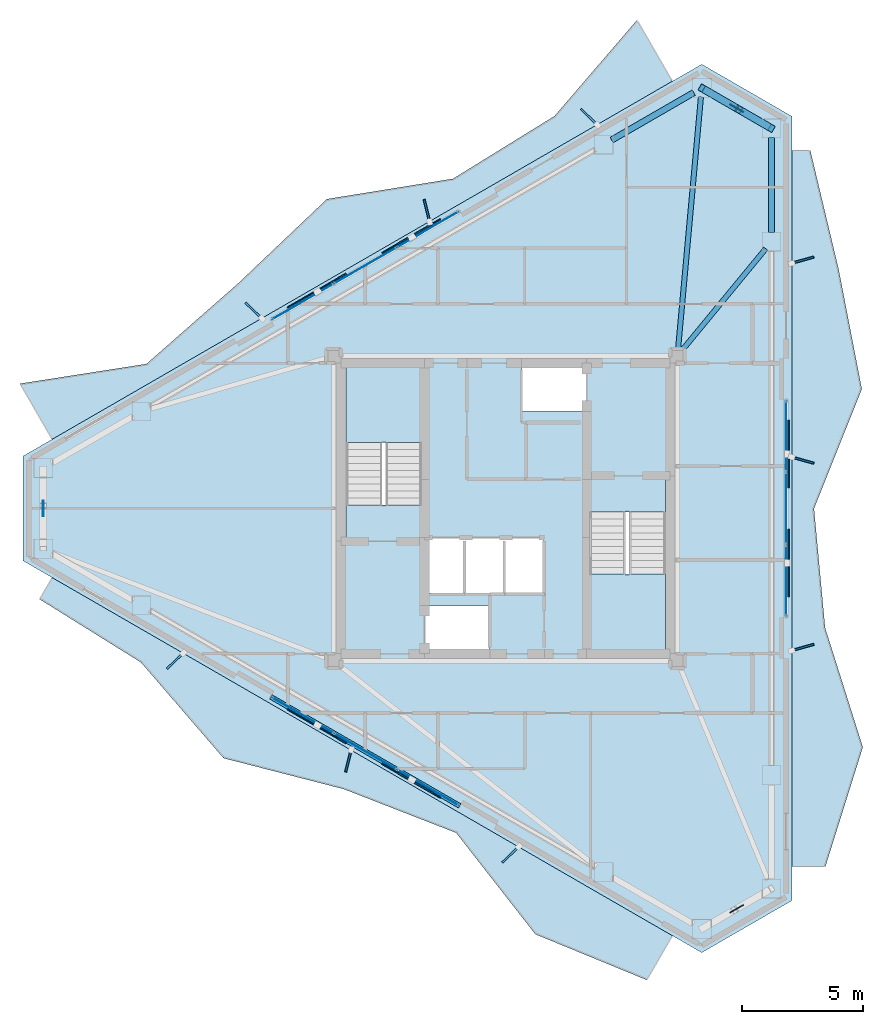
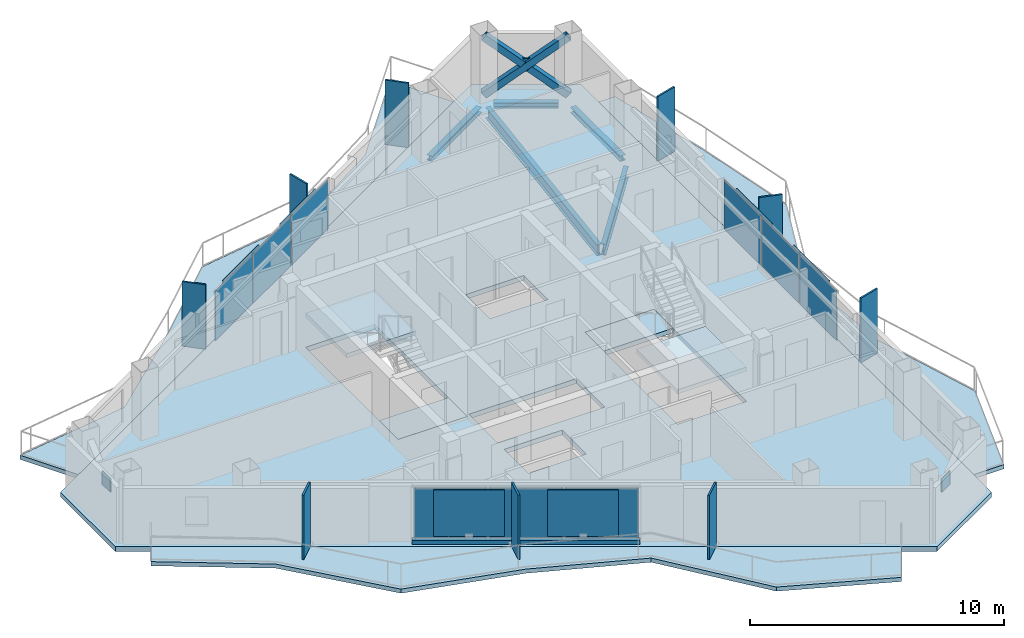
# One storey, part 15 of 21: 27 plates, 8 slabs, 5 beams, 3 members, 1 wall, 5 elements without a shape of their own.
"""IFC4 building model written with IfcOpenShell, lengths in metres."""

from ifc_helpers import new_model, si_unit, direction, frame, frame_2d, origin, origin_2d, place, context, subcontext, project, spatial, polyline, rectangle, hollow_rectangle, i_section, outline, extrude, material, layer, layer_set, material_profile, profile_set, type_object, element, aggregate, save


model = new_model("IFC4")

# Units and contexts
model_context = context("Model", 3, precision=1e-05, world=origin(), true_north=direction((0.0, 1.0)))
body_context = subcontext(model_context, "Body", "Model", "MODEL_VIEW")
ifc_project = project(units=[si_unit("LENGTHUNIT", "METRE"), si_unit("AREAUNIT", "SQUARE_METRE"), si_unit("VOLUMEUNIT", "CUBIC_METRE"), si_unit("PLANEANGLEUNIT", "RADIAN"), si_unit("MASSUNIT", "GRAM", prefix="KILO")], contexts=[model_context])

# Site, building, storey
site_placement = place(None, origin())
site = spatial("IfcSite", under=ifc_project, at=site_placement, CompositionType="ELEMENT")
building_placement = place(site_placement, origin())
building = spatial("IfcBuilding", under=site, at=building_placement, Name="Mersakhor Tower and Convention Hall", CompositionType="ELEMENT")
storey_placement = place(building_placement, frame((0.0, 0.0, 211.800048828125)))
storey = spatial("IfcBuildingStorey", under=building, at=storey_placement, Name="L59", CompositionType="ELEMENT", Elevation=211.800048828125)

# Beams
ifc_material_1 = material(Name="Steel S355", Category="steel")
ifc_material_profile_1 = material_profile(ifc_material_1, i_section(OverallWidth=0.2099609375, OverallDepth=0.53662109375, WebThickness=0.0107421875, FlangeThickness=0.017333984375, at=origin_2d()), Name="UB 533x210x101")
ifc_profile_set_1 = profile_set([ifc_material_profile_1], Name="Steel S355")
beam_type_1 = type_object("IfcBeamType", Name="BM-FB-533", PredefinedType="BEAM", material=ifc_profile_set_1)
beam_1_placement = place(storey_placement, frame((36.125244140625, 33.328857421875, -0.49853515625), z_axis=(0.090367269821, 0.99590850812, 0.0), x_axis=(-0.99590850812, 0.090367269821, 0.0)))
element("IfcBeam", 1, at=beam_1_placement, inside=storey, type_object=beam_type_1, Name="L59 Primary Floor Girder FG-2", PredefinedType="BEAM", context=body_context, shape_type="SweptSolid", body=[
    extrude(i_section(OverallWidth=0.2099609375, OverallDepth=0.53662109375, WebThickness=0.0107421875, FlangeThickness=0.017333984375, at=origin_2d()), origin(), (0.0, 0.0, 1.0), 10.45263671875),
])
beam_2_placement = place(storey_placement, frame((36.278076171875, 33.26611328125, -0.49853515625), z_axis=(0.635588076211, 0.772028365657, 0.0), x_axis=(-0.772028365657, 0.635588076211, 0.0)))
element("IfcBeam", 2, at=beam_2_placement, inside=storey, type_object=beam_type_1, Name="L59 Primary Floor Girder FG-3", PredefinedType="BEAM", context=body_context, shape_type="SweptSolid", body=[
    extrude(i_section(OverallWidth=0.2099609375, OverallDepth=0.53662109375, WebThickness=0.0107421875, FlangeThickness=0.017333984375, at=origin_2d()), origin(), (0.0, 0.0, 1.0), 5.45751953125),
])
ifc_material_2 = material(Name="Steel S355", Category="steel")
ifc_material_profile_2 = material_profile(ifc_material_2, i_section(OverallWidth=0.25634765625, OverallDepth=0.26025390625, WebThickness=0.01025390625, FlangeThickness=0.017333984375, at=origin_2d()), Name="UC 254x254x89")
ifc_profile_set_2 = profile_set([ifc_material_profile_2], Name="Steel S355")
beam_type_2 = type_object("IfcBeamType", Name="BM-SPD-UC254", PredefinedType="SPANDREL", material=ifc_profile_set_2)
beam_3_placement = place(storey_placement, frame((33.380859375, 41.967529296875, -0.360107421875), z_axis=(0.866007153761, 0.500031608635, 0.0), x_axis=(-0.500031608635, 0.866007153761, 0.0)))
element("IfcBeam", 3, at=beam_3_placement, inside=storey, type_object=beam_type_2, Name="L59 Perimeter Spandrel Beam SPB-03", PredefinedType="SPANDREL", context=body_context, shape_type="SweptSolid", body=[
    extrude(i_section(OverallWidth=0.25634765625, OverallDepth=0.26025390625, WebThickness=0.01025390625, FlangeThickness=0.017333984375, at=origin_2d()), origin(), (0.0, 0.0, 1.0), 3.919189453125),
])
beam_4_placement = place(storey_placement, frame((37.43310546875, 43.92724609375, -0.360107421875), z_axis=(0.866036909293, -0.499980071345, 0.0), x_axis=(0.499980071345, 0.866036909293, 0.0)))
element("IfcBeam", 4, at=beam_4_placement, inside=storey, type_object=beam_type_2, Name="L59 Perimeter Spandrel Beam SPB-04", PredefinedType="SPANDREL", context=body_context, shape_type="SweptSolid", body=[
    extrude(i_section(OverallWidth=0.25634765625, OverallDepth=0.26025390625, WebThickness=0.01025390625, FlangeThickness=0.017333984375, at=origin_2d()), origin(), (0.0, 0.0, 1.0), 2.5703125),
])
beam_5_placement = place(storey_placement, frame((39.98828125, 42.072021484375, -0.360107421875), z_axis=(0.0, -1.0, 0.0), x_axis=(1.0, 0.0, 0.0)))
element("IfcBeam", 5, at=beam_5_placement, inside=storey, type_object=beam_type_2, Name="L59 Perimeter Spandrel Beam SPB-05", PredefinedType="SPANDREL", context=body_context, shape_type="SweptSolid", body=[
    extrude(i_section(OverallWidth=0.25634765625, OverallDepth=0.26025390625, WebThickness=0.01025390625, FlangeThickness=0.017333984375, at=origin_2d()), origin(), (0.0, 0.0, 1.0), 3.919189453125),
])

# Members
ifc_material_3 = material(Name="Steel S355", Category="steel")
ifc_material_profile_3 = material_profile(ifc_material_3, hollow_rectangle(XDim=0.300048828125, YDim=0.300048828125, WallThickness=0.01611328125, at=origin_2d()), Name="SHS 300x300x16")
ifc_profile_set_3 = profile_set([ifc_material_profile_3], Name="Steel S355")
member_type = type_object("IfcMemberType", Name="MB-BRC-SHS300", PredefinedType="BRACE", material=ifc_profile_set_3)
member_placement = place(storey_placement, frame((37.10400390625, 44.1171875, 0.14990234375), z_axis=(0.665824923443, -0.384424564314, 0.639448923429), x_axis=(0.50001011158, 0.866019565782, 0.0)))
element("IfcMember", 6, at=member_placement, inside=storey, type_object=member_type, Name="L59 Chamfer Braced Frame Diagonal CB-1A", PredefinedType="BRACE", context=body_context, shape_type="SweptSolid", body=[
    extrude(hollow_rectangle(XDim=0.300048828125, YDim=0.300048828125, WallThickness=0.01611328125, at=origin_2d()), origin(), (0.0, 0.0, 1.0), 4.331787109375),
])
for number, where, z_axis, x_axis, name in (
    (7, (39.98828125, 42.451904296875, 0.14990234375), (-0.665711462011, 0.384476371073, 0.639535901599), (-0.500124558158, -0.865953478154, 0.0), "L59 Chamfer Braced Frame Diagonal CB-1B Lower Half"),
    (8, (38.439208984375, 43.34619140625, 1.6376953125), (-0.665831077073, 0.384475140135, 0.639412107659), (-0.50005597947, -0.86599308161, 0.0), "L59 Chamfer Braced Frame Diagonal CB-1B Upper Half"),
):
    element("IfcMember", number, at=place(storey_placement, frame(where, z_axis=z_axis, x_axis=x_axis)), inside=storey, type_object=member_type, Name=name, PredefinedType="BRACE", context=body_context, shape_type="SweptSolid", body=[
        extrude(hollow_rectangle(XDim=0.300048828125, YDim=0.300048828125, WallThickness=0.01611328125, at=origin_2d()), origin(), (0.0, 0.0, 1.0), 2.00537109375),
    ])

# Curtain wall, plates
ifc_material_4 = material(Name="Dark solar low-E aluminium curtain wall", Category="aluminium")
ifc_layer_1 = layer(ifc_material_4, 0.169921875)
ifc_layer_set_1 = layer_set([ifc_layer_1], Name="Dark solar low-E aluminium curtain wall")
curtain_wall_type = type_object("IfcCurtainWallType", Name="CW-SYS-02", PredefinedType="USERDEFINED", material=ifc_layer_set_1)
curtain_wall_1_placement = place(storey_placement, origin())
curtain_wall_1 = element("IfcCurtainWall", 9, at=curtain_wall_1_placement, inside=storey, type_object=curtain_wall_type, Name="L59 Dark-Glass Curtain Wall F1-B2", ObjectType="CURTAIN WALL", PredefinedType="USERDEFINED")
ifc_material_5 = material(Name="Dark solar double glazing", Category="glass")
ifc_layer_2 = layer(ifc_material_5, 0.028076171875)
ifc_layer_set_2 = layer_set([ifc_layer_2], Name="Dark solar double glazing")
plate_type_1 = type_object("IfcPlateType", Name="CWP-GLZ-28", PredefinedType="CURTAIN_PANEL", material=ifc_layer_set_2)
plate_1_placement = place(storey_placement, frame((20.624267578125, 35.29541015625, 0.260009765625), z_axis=(0.0, 0.0, 1.0), x_axis=(0.86602088627, 0.500007824483, 0.0)))
plate_1 = element("IfcPlate", 10, at=plate_1_placement, type_object=plate_type_1, Name="CW-02 panel 1.1", PredefinedType="CURTAIN_PANEL", context=body_context, shape_type="SweptSolid", body=[
    extrude(rectangle(XDim=2.88720703125, YDim=0.028076171875, at=origin_2d()), origin(), (0.0, 0.0, 1.0), 2.3701171875),
])
plate_2_placement = place(storey_placement, frame((23.205810546875, 36.785888671875, 0.260009765625), z_axis=(0.0, 0.0, 1.0), x_axis=(0.86602088627, 0.500007824483, 0.0)))
plate_2 = element("IfcPlate", 11, at=plate_2_placement, type_object=plate_type_1, Name="CW-02 panel 2.1", PredefinedType="CURTAIN_PANEL", context=body_context, shape_type="SweptSolid", body=[
    extrude(rectangle(XDim=2.924560546875, YDim=0.028076171875, at=origin_2d()), origin(), (0.0, 0.0, 1.0), 2.3701171875),
])
plate_3_placement = place(storey_placement, frame((25.787353515625, 38.2763671875, 0.260009765625), z_axis=(0.0, 0.0, 1.0), x_axis=(0.86602088627, 0.500007824483, 0.0)))
plate_3 = element("IfcPlate", 12, at=plate_3_placement, type_object=plate_type_1, Name="CW-02 panel 3.1", PredefinedType="CURTAIN_PANEL", context=body_context, shape_type="SweptSolid", body=[
    extrude(rectangle(XDim=2.88720703125, YDim=0.028076171875, at=origin_2d()), origin(), (0.0, 0.0, 1.0), 2.3701171875),
])
aggregate(curtain_wall_1, [plate_1, plate_2, plate_3])

curtain_wall_2_placement = place(storey_placement, origin())
curtain_wall_2 = element("IfcCurtainWall", 13, at=curtain_wall_2_placement, inside=storey, type_object=curtain_wall_type, Name="L59 Dark-Glass Curtain Wall F2-B2", ObjectType="CURTAIN WALL", PredefinedType="USERDEFINED")
plate_4_placement = place(storey_placement, frame((40.58837890625, 29.73095703125, 0.260009765625), z_axis=(0.0, 0.0, 1.0), x_axis=(0.0, -1.0, 0.0)))
plate_4 = element("IfcPlate", 14, at=plate_4_placement, type_object=plate_type_1, Name="CW-02 panel 1.1", PredefinedType="CURTAIN_PANEL", context=body_context, shape_type="SweptSolid", body=[
    extrude(rectangle(XDim=2.88720703125, YDim=0.028076171875, at=origin_2d()), origin(), (0.0, 0.0, 1.0), 2.3701171875),
])
plate_5_placement = place(storey_placement, frame((40.58837890625, 26.75, 0.260009765625), z_axis=(0.0, 0.0, 1.0), x_axis=(0.0, -1.0, 0.0)))
plate_5 = element("IfcPlate", 15, at=plate_5_placement, type_object=plate_type_1, Name="CW-02 panel 2.1", PredefinedType="CURTAIN_PANEL", context=body_context, shape_type="SweptSolid", body=[
    extrude(rectangle(XDim=2.924560546875, YDim=0.028076171875, at=origin_2d()), origin(), (0.0, 0.0, 1.0), 2.3701171875),
])
plate_6_placement = place(storey_placement, frame((40.58837890625, 23.76904296875, 0.260009765625), z_axis=(0.0, 0.0, 1.0), x_axis=(0.0, -1.0, 0.0)))
plate_6 = element("IfcPlate", 16, at=plate_6_placement, type_object=plate_type_1, Name="CW-02 panel 3.1", PredefinedType="CURTAIN_PANEL", context=body_context, shape_type="SweptSolid", body=[
    extrude(rectangle(XDim=2.88720703125, YDim=0.028076171875, at=origin_2d()), origin(), (0.0, 0.0, 1.0), 2.3701171875),
])
aggregate(curtain_wall_2, [plate_4, plate_5, plate_6])

curtain_wall_3_placement = place(storey_placement, origin())
curtain_wall_3 = element("IfcCurtainWall", 17, at=curtain_wall_3_placement, inside=storey, type_object=curtain_wall_type, Name="L59 Dark-Glass Curtain Wall F3-B2", ObjectType="CURTAIN WALL", PredefinedType="USERDEFINED")
plate_7_placement = place(storey_placement, frame((25.787353515625, 15.2236328125, 0.260009765625), z_axis=(0.0, 0.0, 1.0), x_axis=(-0.86602088627, 0.500007824483, 0.0)))
plate_7 = element("IfcPlate", 18, at=plate_7_placement, type_object=plate_type_1, Name="CW-02 panel 1.1", PredefinedType="CURTAIN_PANEL", context=body_context, shape_type="SweptSolid", body=[
    extrude(rectangle(XDim=2.88720703125, YDim=0.028076171875, at=origin_2d()), origin(), (0.0, 0.0, 1.0), 2.3701171875),
])
plate_8_placement = place(storey_placement, frame((23.205810546875, 16.714111328125, 0.260009765625), z_axis=(0.0, 0.0, 1.0), x_axis=(-0.86602088627, 0.500007824483, 0.0)))
plate_8 = element("IfcPlate", 19, at=plate_8_placement, type_object=plate_type_1, Name="CW-02 panel 2.1", PredefinedType="CURTAIN_PANEL", context=body_context, shape_type="SweptSolid", body=[
    extrude(rectangle(XDim=2.924560546875, YDim=0.028076171875, at=origin_2d()), origin(), (0.0, 0.0, 1.0), 2.3701171875),
])
plate_9_placement = place(storey_placement, frame((20.624267578125, 18.20458984375, 0.260009765625), z_axis=(0.0, 0.0, 1.0), x_axis=(-0.86602088627, 0.500007824483, 0.0)))
plate_9 = element("IfcPlate", 20, at=plate_9_placement, type_object=plate_type_1, Name="CW-02 panel 3.1", PredefinedType="CURTAIN_PANEL", context=body_context, shape_type="SweptSolid", body=[
    extrude(rectangle(XDim=2.88720703125, YDim=0.028076171875, at=origin_2d()), origin(), (0.0, 0.0, 1.0), 2.3701171875),
])
aggregate(curtain_wall_3, [plate_7, plate_8, plate_9])

# Plates
ifc_material_6 = material(Name="Ceramic-clad aluminium Zone 4 terracotta-coral", Category="masonry")
ifc_material_7 = material(Name="Ceramic-clad aluminium Zone 1 cobalt-slate", Category="masonry")
ifc_layer_3 = layer(ifc_material_7, 0.080078125)
ifc_layer_set_3 = layer_set([ifc_layer_3], Name="Ceramic-clad aluminium Zone 1 cobalt-slate")
plate_type_2 = type_object("IfcPlateType", Name="PL-FIN-80", PredefinedType="USERDEFINED", material=ifc_layer_set_3)
for number, where, z_axis, x_axis, name in (
    (21, (18.598388671875, 34.918701171875, 0.0), (0.0, 0.0, 1.0), (-0.719339800339, 0.694658370459, 0.0), "L59 Zone 4 Coloured Brise-Soleil Fin F1-1"),
    (22, (25.75341796875, 39.049560546875, 0.0), (0.0, 0.0, 1.0), (-0.2419218956, 0.970295726276, 0.0), "L59 Zone 4 Coloured Brise-Soleil Fin F1-2"),
    (23, (32.454833984375, 42.918701171875, 0.0), (0.0, 0.0, 1.0), (-0.719339800339, 0.694658370459, 0.0), "L59 Zone 4 Coloured Brise-Soleil Fin F1-3"),
    (24, (41.27490234375, 37.007080078125, 0.0), (0.0, 0.0, 1.0), (0.961261695938, 0.275637355817, 0.0), "L59 Zone 4 Coloured Brise-Soleil Fin F2-1"),
    (25, (41.27490234375, 28.7451171875, 0.0), (0.0, 0.0, 1.0), (0.961261695938, -0.275637355817, 0.0), "L59 Zone 4 Coloured Brise-Soleil Fin F2-2"),
    (26, (41.27490234375, 21.007080078125, 0.0), (0.0, 0.0, 1.0), (0.961261695938, 0.275637355817, 0.0), "L59 Zone 4 Coloured Brise-Soleil Fin F2-3"),
    (27, (29.208984375, 12.455322265625, 0.0), (0.0, 0.0, 1.0), (-0.719339800339, -0.694658370459, 0.0), "L59 Zone 4 Coloured Brise-Soleil Fin F3-1"),
    (28, (22.5078125, 16.324462890625, 0.0), (0.0, 0.0, 1.0), (-0.2419218956, -0.970295726276, 0.0), "L59 Zone 4 Coloured Brise-Soleil Fin F3-2"),
    (29, (15.352783203125, 20.455322265625, 0.0), (0.0, 0.0, 1.0), (-0.719339800339, -0.694658370459, 0.0), "L59 Zone 4 Coloured Brise-Soleil Fin F3-3"),
):
    element("IfcPlate", number, at=place(storey_placement, frame(where, z_axis=z_axis, x_axis=x_axis)), inside=storey, type_object=plate_type_2, material=ifc_material_6, Name=name, ObjectType="FIN", PredefinedType="USERDEFINED", context=body_context, shape_type="SweptSolid", body=[
        extrude(rectangle(XDim=0.949951171875, YDim=0.080078125, at=origin_2d()), origin(), (0.0, 0.0, 1.0), 3.10009765625),
    ])
ifc_material_8 = material(Name="Steel S460", Category="steel")
ifc_layer_4 = layer(ifc_material_8, 0.0400390625)
ifc_layer_set_4 = layer_set([ifc_layer_4], Name="Steel S460")
plate_type_3 = type_object("IfcPlateType", Name="PL-GUSSET-40", PredefinedType="SHEET", material=ifc_layer_set_4)
for number, where, z_axis, x_axis, name in (
    (30, (38.54638671875, 43.28466796875, 1.21484375), (0.0, 0.0, 1.0), (-0.866025403784, 0.5, 0.0), "L59 X-Brace Crossing Gusset Node Plate"),
    (31, (38.54638671875, 10.21533203125, 1.21484375), (0.0, 0.0, 1.0), (0.866025403784, 0.5, 0.0), "L59 X-Brace Crossing Gusset Node Plate"),
    (32, (9.907470703125, 26.75, 1.21484375), (0.0, 0.0, 1.0), (0.0, -1.0, 0.0), "L59 X-Brace Crossing Gusset Node Plate"),
):
    element("IfcPlate", number, at=place(storey_placement, frame(where, z_axis=z_axis, x_axis=x_axis)), inside=storey, type_object=plate_type_3, Name=name, PredefinedType="SHEET", context=body_context, shape_type="SweptSolid", body=[
        extrude(rectangle(XDim=0.639892578125, YDim=0.0400390625, at=origin_2d()), origin(), (0.0, 0.0, 1.0), 0.639892578125),
    ])
ifc_material_9 = material(Name="Perforated ceramic cobogo solar screen", Category="aluminium")
ifc_layer_5 = layer(ifc_material_9, 0.055908203125)
ifc_layer_set_5 = layer_set([ifc_layer_5], Name="Perforated ceramic cobogo solar screen")
plate_type_4 = type_object("IfcPlateType", Name="PL-SCR-56", PredefinedType="USERDEFINED", material=ifc_layer_set_5)
for number, where, z_axis, x_axis, name in (
    (33, (21.20849609375, 35.745849609375, 0.39990234375), (0.0, 0.0, 1.0), (0.866025403784, 0.5, 0.0), "L59 Perforated Ceramic Solar Screen F1-1"),
    (34, (25.10498046875, 37.99560546875, 0.39990234375), (0.0, 0.0, 1.0), (0.866025403784, 0.5, 0.0), "L59 Perforated Ceramic Solar Screen F1-2"),
    (35, (40.686279296875, 28.999755859375, 0.39990234375), (0.0, 0.0, 1.0), (0.0, -1.0, 0.0), "L59 Perforated Ceramic Solar Screen F2-1"),
    (36, (40.686279296875, 24.500244140625, 0.39990234375), (0.0, 0.0, 1.0), (0.0, -1.0, 0.0), "L59 Perforated Ceramic Solar Screen F2-2"),
    (37, (25.10498046875, 15.50439453125, 0.39990234375), (0.0, 0.0, 1.0), (-0.866025403784, 0.5, 0.0), "L59 Perforated Ceramic Solar Screen F3-1"),
    (38, (21.20849609375, 17.754150390625, 0.39990234375), (0.0, 0.0, 1.0), (-0.866025403784, 0.5, 0.0), "L59 Perforated Ceramic Solar Screen F3-2"),
):
    element("IfcPlate", number, at=place(storey_placement, frame(where, z_axis=z_axis, x_axis=x_axis)), inside=storey, type_object=plate_type_4, Name=name, ObjectType="SCREEN", PredefinedType="USERDEFINED", context=body_context, shape_type="SweptSolid", body=[
        extrude(rectangle(XDim=2.800048828125, YDim=0.055908203125, at=origin_2d()), origin(), (0.0, 0.0, 1.0), 2.239990234375),
    ])

# Slabs
ifc_material_10 = material(Name="Concrete C45/55", Category="concrete")
ifc_layer_6 = layer(ifc_material_10, 0.199951171875)
ifc_layer_set_6 = layer_set([ifc_layer_6], Name="Concrete C45/55")
slab_type_1 = type_object("IfcSlabType", Name="SL-BAL-200", PredefinedType="FLOOR", material=ifc_layer_set_6)
slab_1_placement = place(storey_placement, frame((0.0, 0.0, -0.199951171875)))
element("IfcSlab", 39, at=slab_1_placement, inside=storey, type_object=slab_type_1, Name="L59 Sinusoidal Balcony Slab Face 1", PredefinedType="FLOOR", context=body_context, shape_type="SweptSolid", body=[
    extrude(outline(polyline([(10.27001953125, 29.60595703125), (35.8916015625, 44.398681640625), (34.431640625, 46.927490234375), (31.0263671875, 42.9638671875), (26.830078125, 40.370361328125), (21.620849609375, 39.531005859375), (17.943359375, 36.038818359375), (14.165283203125, 32.720947265625), (8.942138671875, 31.90576171875), (10.27001953125, 29.60595703125)])), origin(), (0.0, 0.0, 1.0), 0.199951171875),
])
slab_2_placement = place(storey_placement, frame((0.0, 0.0, -0.199951171875)))
element("IfcSlab", 40, at=slab_2_placement, inside=storey, type_object=slab_type_1, Name="L59 Sinusoidal Balcony Slab Face 2", PredefinedType="FLOOR", context=body_context, shape_type="SweptSolid", body=[
    extrude(outline(polyline([(40.83837890625, 41.542724609375), (40.83837890625, 11.957275390625), (42.211181640625, 11.957275390625), (43.75830078125, 16.88818359375), (42.200439453125, 21.819091796875), (41.741455078125, 26.75), (43.717529296875, 31.680908203125), (42.763671875, 36.61181640625), (41.58837890625, 41.542724609375), (40.83837890625, 41.542724609375)])), origin(), (0.0, 0.0, 1.0), 0.199951171875),
])
slab_3_placement = place(storey_placement, frame((0.0, 0.0, -0.199951171875)))
element("IfcSlab", 41, at=slab_3_placement, inside=storey, type_object=slab_type_1, Name="L59 Sinusoidal Balcony Slab Face 3", PredefinedType="FLOOR", context=body_context, shape_type="SweptSolid", body=[
    extrude(outline(polyline([(35.8916015625, 9.101318359375), (10.27001953125, 23.89404296875), (9.75341796875, 22.999267578125), (13.940185546875, 20.389404296875), (17.3505859375, 16.434326171875), (22.308349609375, 15.15966796875), (26.957763671875, 13.35107421875), (30.231689453125, 9.159423828125), (34.835205078125, 7.271240234375), (35.8916015625, 9.101318359375)])), origin(), (0.0, 0.0, 1.0), 0.199951171875),
])
ifc_material_11 = material(Name="Concrete C40/50", Category="concrete")
ifc_layer_7 = layer(ifc_material_11, 0.22998046875)
ifc_layer_set_7 = layer_set([ifc_layer_7], Name="Concrete C40/50")
slab_type_2 = type_object("IfcSlabType", Name="SL-FLR-230", PredefinedType="FLOOR", material=ifc_layer_set_7)
slab_4_placement = place(storey_placement, frame((0.0, 0.0, -0.22998046875)))
element("IfcSlab", 42, at=slab_4_placement, inside=storey, type_object=slab_type_2, Name="L59 ST-1 Structural Stair Floor Landing", PredefinedType="LANDING", context=body_context, shape_type="SweptSolid", body=[
    extrude(outline(polyline([(25.550048828125, 25.39990234375), (25.550048828125, 26.89990234375), (22.39990234375, 26.89990234375), (22.39990234375, 25.39990234375), (25.550048828125, 25.39990234375)])), origin(), (0.0, 0.0, 1.0), 0.22998046875),
])
slab_5_placement = place(storey_placement, frame((0.0, 0.0, -0.22998046875)))
element("IfcSlab", 43, at=slab_5_placement, inside=storey, type_object=slab_type_2, Name="L59 ST-2 Structural Stair Floor Landing", PredefinedType="LANDING", context=body_context, shape_type="SweptSolid", body=[
    extrude(outline(polyline([(32.449951171875, 28.10009765625), (32.449951171875, 26.60009765625), (35.60009765625, 26.60009765625), (35.60009765625, 28.10009765625), (32.449951171875, 28.10009765625)])), origin(), (0.0, 0.0, 1.0), 0.22998046875),
])
slab_6_placement = place(storey_placement, frame((0.0, 0.0, -0.22998046875)))
element("IfcSlab", 44, at=slab_6_placement, inside=storey, type_object=slab_type_2, Name="Tower L59 Structural Floor Slab", PredefinedType="FLOOR", context=body_context, shape_type="SweptSolid", body=[
    extrude(outline(polyline([(9.0576171875, 28.906005859375), (37.10400390625, 45.0986328125), (40.83837890625, 42.942626953125), (40.83837890625, 10.557373046875), (37.10400390625, 8.4013671875), (9.0576171875, 24.593994140625), (9.0576171875, 28.906005859375)]), holes=[polyline([(25.550048828125, 25.39990234375), (25.550048828125, 32.699951171875), (22.39990234375, 32.699951171875), (22.39990234375, 25.39990234375), (25.550048828125, 25.39990234375)]), polyline([(32.449951171875, 28.10009765625), (32.449951171875, 20.800048828125), (35.60009765625, 20.800048828125), (35.60009765625, 28.10009765625), (32.449951171875, 28.10009765625)]), polyline([(25.679931640625, 20.820068359375), (25.679931640625, 22.719970703125), (28.320068359375, 22.719970703125), (28.320068359375, 20.820068359375), (25.679931640625, 20.820068359375)]), polyline([(29.679931640625, 30.780029296875), (29.679931640625, 32.679931640625), (32.320068359375, 32.679931640625), (32.320068359375, 30.780029296875), (29.679931640625, 30.780029296875)]), polyline([(25.679931640625, 23.25), (25.679931640625, 25.5), (30.570068359375, 25.5), (30.570068359375, 23.25), (25.679931640625, 23.25)])]), origin(), (0.0, 0.0, 1.0), 0.22998046875),
])

# Stair, slab
ifc_material_12 = material(Name="Concrete C45/55", Category="concrete")
stair_type = type_object("IfcStairType", Name="ST-TWR-20R", PredefinedType="HALF_TURN_STAIR", material=ifc_material_12)
stair_1_placement = place(storey_placement, origin())
stair_1 = element("IfcStair", 45, at=stair_1_placement, inside=storey, type_object=stair_type, Name="L59 Tower Protected Exit Stair ST-1", PredefinedType="HALF_TURN_STAIR")
ifc_material_13 = material(Name="Concrete C45/55", Category="concrete")
ifc_layer_8 = layer(ifc_material_13, 0.199951171875)
ifc_layer_set_8 = layer_set([ifc_layer_8], Name="Concrete C45/55")
slab_type_3 = type_object("IfcSlabType", Name="SL-LAND-200", PredefinedType="LANDING", material=ifc_layer_set_8)
slab_7_placement = place(storey_placement, frame((0.0, 0.0, 1.449951171875)))
slab_7 = element("IfcSlab", 46, at=slab_7_placement, type_object=slab_type_3, Name="ST-1 landing 1", PredefinedType="LANDING", context=body_context, shape_type="SweptSolid", body=[
    extrude(outline(polyline([(25.550048828125, 29.465087890625), (25.550048828125, 32.699951171875), (22.39990234375, 32.699951171875), (22.39990234375, 29.465087890625), (25.550048828125, 29.465087890625)])), origin(), (0.0, 0.0, 1.0), 0.199951171875),
])
aggregate(stair_1, [slab_7])

stair_2_placement = place(storey_placement, origin())
stair_2 = element("IfcStair", 47, at=stair_2_placement, inside=storey, type_object=stair_type, Name="L59 Tower Protected Exit Stair ST-2", PredefinedType="HALF_TURN_STAIR")
slab_8_placement = place(storey_placement, frame((0.0, 0.0, 1.449951171875)))
slab_8 = element("IfcSlab", 48, at=slab_8_placement, type_object=slab_type_3, Name="ST-2 landing 1", PredefinedType="LANDING", context=body_context, shape_type="SweptSolid", body=[
    extrude(outline(polyline([(32.449951171875, 24.034912109375), (32.449951171875, 20.800048828125), (35.60009765625, 20.800048828125), (35.60009765625, 24.034912109375), (32.449951171875, 24.034912109375)])), origin(), (0.0, 0.0, 1.0), 0.199951171875),
])
aggregate(stair_2, [slab_8])

# Wall
ifc_material_14 = material(Name="Precast concrete C40/50", Category="concrete")
ifc_layer_9 = layer(ifc_material_14, 0.199951171875)
ifc_layer_set_9 = layer_set([ifc_layer_9], Name="Precast concrete C40/50")
wall_type = type_object("IfcWallType", Name="WL-PAR-200", PredefinedType="PARAPET", material=ifc_layer_set_9)
wall_placement = place(storey_placement, frame((27.102294921875, 14.46435546875, 0.0), z_axis=(0.0, 0.0, 1.0), x_axis=(-0.866020680503, 0.500008180874, 0.0)))
element("IfcWall", 49, at=wall_placement, inside=storey, type_object=wall_type, Name="L59 Curtain Wall Upstand Sill F3-B2", PredefinedType="PARAPET", context=body_context, shape_type="SweptSolid", body=[
    extrude(rectangle(XDim=8.998779296875, YDim=0.199951171875, at=frame_2d((4.49951171875, 0.0))), origin(), (0.0, 0.0, 1.0), 0.199951171875),
])

save(model, "model.ifc")
